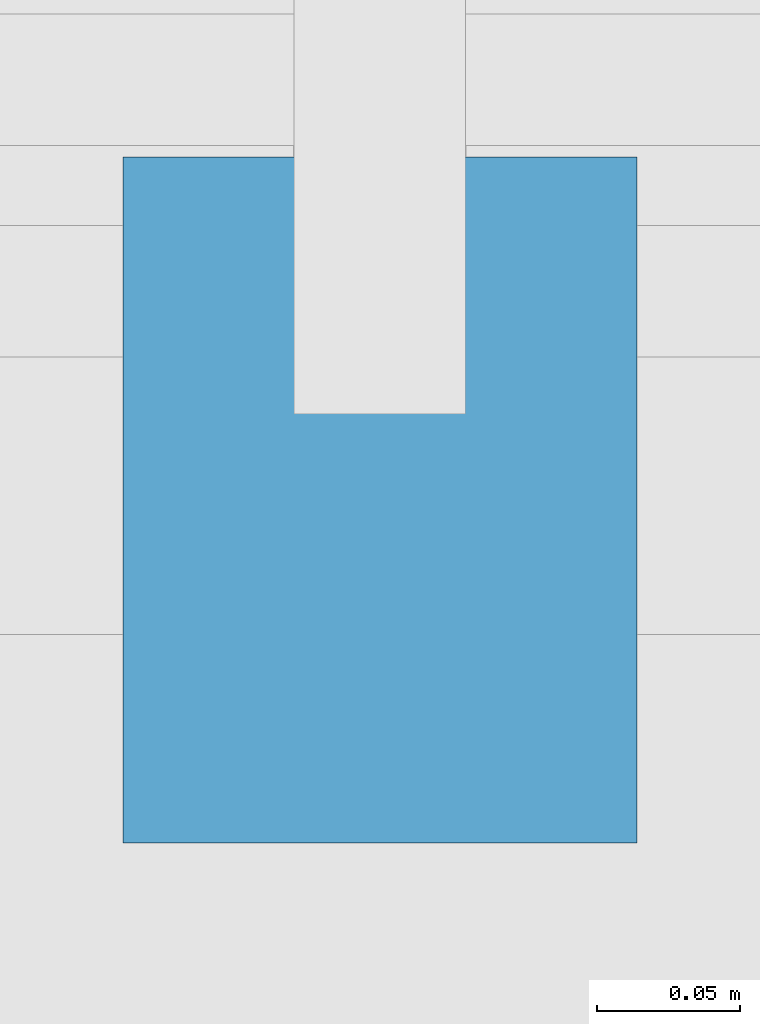
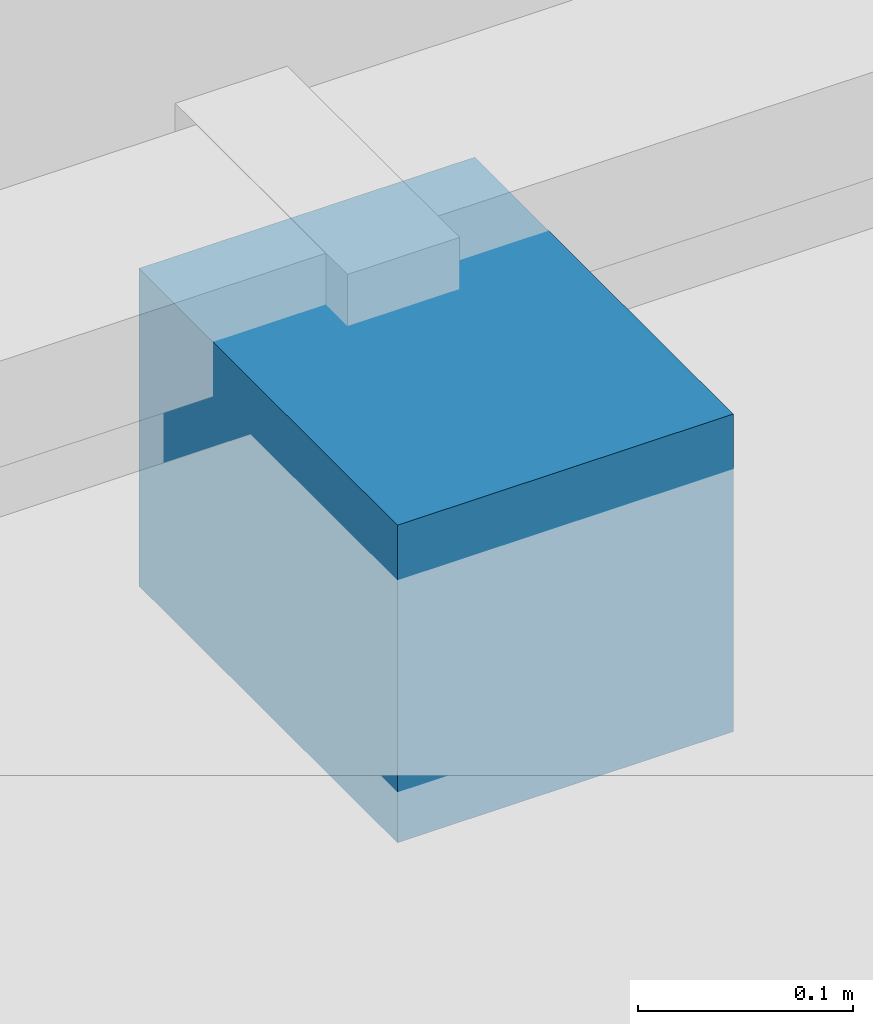
# One storey, part 72 of 98: 1 discrete accessory.
"""IFC4 building model written with IfcOpenShell, lengths in metres."""

from ifc_helpers import new_model, si_unit, direction, frame, origin, origin_2d, place, context, subcontext, project, spatial, rectangle, extrude, material, type_object, element, save


model = new_model("IFC4")

# Units and contexts
model_context = context("Model", 3, precision=1e-05, world=origin(), true_north=direction((0.0, 1.0)))
body_context = subcontext(model_context, "Body", "Model", "MODEL_VIEW")
ifc_project = project(units=[si_unit("LENGTHUNIT", "METRE"), si_unit("AREAUNIT", "SQUARE_METRE"), si_unit("VOLUMEUNIT", "CUBIC_METRE"), si_unit("PLANEANGLEUNIT", "RADIAN"), si_unit("MASSUNIT", "GRAM", prefix="KILO")], contexts=[model_context])

# Site, building, storey
site_placement = place(None, origin())
site = spatial("IfcSite", under=ifc_project, at=site_placement, CompositionType="ELEMENT")
building_placement = place(site_placement, origin())
building = spatial("IfcBuilding", under=site, at=building_placement, Name="Kisiwana Market Hall", CompositionType="ELEMENT")
storey_placement = place(building_placement, frame((0.0, 0.0, 29.39990234375)))
storey = spatial("IfcBuildingStorey", under=building, at=storey_placement, Name="L06", CompositionType="ELEMENT", Elevation=29.39990234375)

# Discrete accessory
ifc_material = material(Name="Steel S355", Category="steel")
discrete_accessory_type = type_object("IfcDiscreteAccessoryType", Name="ACC-BRACKET-STL", PredefinedType="BRACKET", material=ifc_material)
discrete_accessory_placement = place(storey_placement, frame((126.0, 17.889892578125, 3.41015625), z_axis=(0.0, 0.0, 1.0), x_axis=(1.0, 0.0, 0.0)))
element("IfcDiscreteAccessory", 1, at=discrete_accessory_placement, inside=storey, type_object=discrete_accessory_type, Name="Sunshade steel bracket BRK-108", PredefinedType="BRACKET", context=body_context, shape_type="SweptSolid", body=[
    extrude(rectangle(XDim=0.179931640625, YDim=0.239990234375, at=origin_2d()), origin(), (0.0, 0.0, 1.0), 0.179931640625),
])

save(model, "model.ifc")
